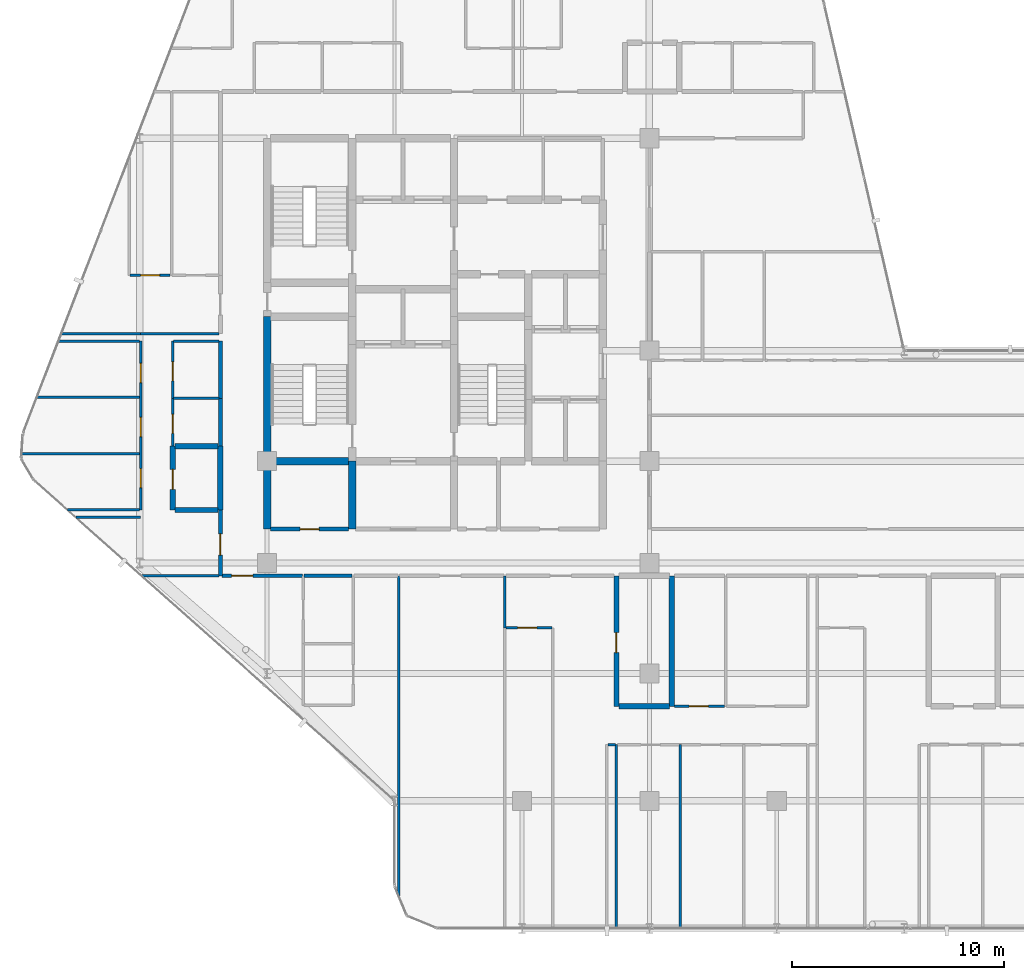
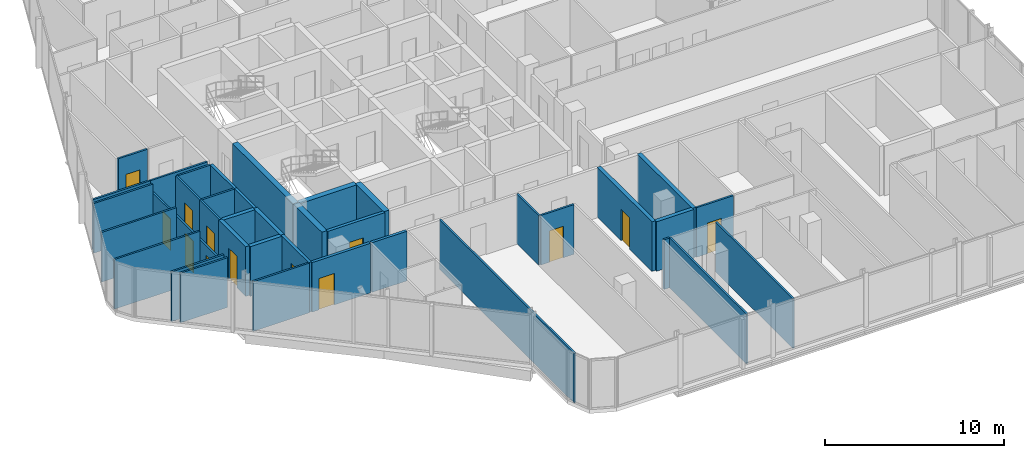
# One storey, part 23 of 29: 38 walls, 13 doors, 13 openings.
"""IFC4 building model written with IfcOpenShell, lengths in metres."""

from ifc_helpers import new_model, si_unit, direction, frame, frame_2d, origin, place, context, subcontext, project, spatial, rectangle, extrude, material, layer, layer_set, type_object, element, fill, save


model = new_model("IFC4")

# Units and contexts
model_context = context("Model", 3, precision=1e-05, world=origin(), true_north=direction((0.0, 1.0)))
body_context = subcontext(model_context, "Body", "Model", "MODEL_VIEW")
ifc_project = project(units=[si_unit("LENGTHUNIT", "METRE"), si_unit("AREAUNIT", "SQUARE_METRE"), si_unit("VOLUMEUNIT", "CUBIC_METRE"), si_unit("PLANEANGLEUNIT", "RADIAN"), si_unit("MASSUNIT", "GRAM", prefix="KILO")], contexts=[model_context])

# Site, building, storey
site_placement = place(None, origin())
site = spatial("IfcSite", under=ifc_project, at=site_placement, CompositionType="ELEMENT")
building_placement = place(site_placement, origin())
building = spatial("IfcBuilding", under=site, at=building_placement, Name="Keshet Zoharim Tower", CompositionType="ELEMENT")
storey_placement = place(building_placement, frame((0.0, 0.0, 188.39990234375)))
storey = spatial("IfcBuildingStorey", under=building, at=storey_placement, Name="L46", CompositionType="ELEMENT", Elevation=188.39990234375)

# Walls
ifc_material_1 = material(Name="Concrete C60/75", Category="concrete")
ifc_layer_1 = layer(ifc_material_1, 0.35009765625)
ifc_layer_set_1 = layer_set([ifc_layer_1], Name="Concrete C60/75")
wall_type_1 = type_object("IfcWallType", Name="WL-CORE-350", PredefinedType="SHEAR", material=ifc_layer_set_1)
wall_1_placement = place(storey_placement, frame((15.0, 19.5, 0.0), z_axis=(0.0, 0.0, 1.0), x_axis=(0.0, 1.0, 0.0)))
element("IfcWall", 1, at=wall_1_placement, inside=storey, type_object=wall_type_1, Name="L46 Core Shear Wall 016", PredefinedType="SHEAR", context=body_context, shape_type="SweptSolid", body=[
    extrude(rectangle(XDim=3.199951171875, YDim=0.35009765625, at=frame_2d((1.60009765625, 0.0))), origin(), (0.0, 0.0, 1.0), 3.39013671875),
])
wall_2_placement = place(storey_placement, frame((15.0, 22.699951171875, 0.0), z_axis=(0.0, 0.0, 1.0), x_axis=(0.0, 1.0, 0.0)))
element("IfcWall", 2, at=wall_2_placement, inside=storey, type_object=wall_type_1, Name="L46 Core Shear Wall 017", PredefinedType="SHEAR", context=body_context, shape_type="SweptSolid", body=[
    extrude(rectangle(XDim=6.800048828125, YDim=0.35009765625, at=frame_2d((3.39990234375, 0.0))), origin(), (0.0, 0.0, 1.0), 3.39013671875),
])
wall_3_placement = place(storey_placement, frame((19.0, 19.5, 0.0), z_axis=(0.0, 0.0, 1.0), x_axis=(0.0, 1.0, 0.0)))
element("IfcWall", 3, at=wall_3_placement, inside=storey, type_object=wall_type_1, Name="L46 Core Shear Wall 024", PredefinedType="SHEAR", context=body_context, shape_type="SweptSolid", body=[
    extrude(rectangle(XDim=3.199951171875, YDim=0.35009765625, at=frame_2d((1.60009765625, 0.0))), origin(), (0.0, 0.0, 1.0), 3.39013671875),
])
wall_4_placement = place(storey_placement, frame((15.159912109375, 22.699951171875, 0.0), z_axis=(0.0, 0.0, 1.0), x_axis=(1.0, 0.0, 0.0)))
element("IfcWall", 4, at=wall_4_placement, inside=storey, type_object=wall_type_1, Name="L46 Core Shear Wall 141", PredefinedType="SHEAR", context=body_context, shape_type="SweptSolid", body=[
    extrude(rectangle(XDim=3.68017578125, YDim=0.35009765625, at=frame_2d((1.840087890625, 0.0))), origin(), (0.0, 0.0, 1.0), 3.39013671875),
])

# Wall, opening, door
ifc_material_2 = material(Name="Gypsum Plasterboard", Category="gypsum")
ifc_layer_2 = layer(ifc_material_2, 0.179931640625)
ifc_layer_set_2 = layer_set([ifc_layer_2], Name="Gypsum Plasterboard")
wall_type_2 = type_object("IfcWallType", Name="WL-CORR-180", PredefinedType="STANDARD", material=ifc_layer_set_2)
wall_5_placement = place(storey_placement, frame((12.800048828125, 17.300048828125, 0.0), z_axis=(0.0, 0.0, 1.0), x_axis=(0.0, 1.0, 0.0)))
wall_5 = element("IfcWall", 5, at=wall_5_placement, inside=storey, type_object=wall_type_2, Name="L46 Interior Wall 007", PredefinedType="STANDARD", context=body_context, shape_type="SweptSolid", body=[
    extrude(rectangle(XDim=3.099853515625, YDim=0.179931640625, at=frame_2d((1.5498046875, 0.0))), origin(), (0.0, 0.0, 1.0), 3.39013671875),
])
opening_1_placement = place(wall_5_placement, frame((0.97802734375, 0.0, 0.0)))
opening_1 = element("IfcOpeningElement", 6, at=opening_1_placement, cuts=wall_5, Name="Opening D-F310", PredefinedType="OPENING", context=body_context, shape_type="SweptSolid", body=[
    extrude(rectangle(XDim=1.0, YDim=2.14990234375, at=frame_2d((0.5, 1.074951171875))), frame((0.0, 0.10009765625, 0.0), z_axis=(0.0, -1.0, 0.0), x_axis=(1.0, 0.0, 0.0)), (0.0, 0.0, 1.0), 0.199951171875),
])
ifc_material_3 = material(Name="Hardwood Timber", Category="wood")
door_type_1 = type_object("IfcDoorType", Name="DR-FD30-100", OperationType="NOTDEFINED", PredefinedType="DOOR", material=ifc_material_3)
door_1_placement = place(opening_1_placement, origin())
door_1 = element("IfcDoor", 7, at=door_1_placement, inside=storey, type_object=door_type_1, Name="Apartment 4606 Entrance Door", OperationType="SINGLE_SWING_LEFT", OverallHeight=2.14990234375, OverallWidth=1.0, PredefinedType="DOOR", context=body_context, shape_type="SweptSolid", body=[
    extrude(rectangle(XDim=1.0, YDim=2.14990234375, at=frame_2d((0.5, 1.074951171875))), frame((0.0, 0.02490234375, 0.0), z_axis=(0.0, -1.0, 0.0), x_axis=(1.0, 0.0, 0.0)), (0.0, 0.0, 1.0), 0.050048828125),
])
fill(opening_1, door_1)

# Walls
wall_6_placement = place(storey_placement, frame((12.800048828125, 23.4208984375, 0.0), z_axis=(0.0, 0.0, 1.0), x_axis=(0.0, 1.0, 0.0)))
element("IfcWall", 8, at=wall_6_placement, inside=storey, type_object=wall_type_2, Name="L46 Interior Wall 009", PredefinedType="STANDARD", context=body_context, shape_type="SweptSolid", body=[
    extrude(rectangle(XDim=2.22607421875, YDim=0.179931640625, at=frame_2d((1.113037109375, 0.0))), origin(), (0.0, 0.0, 1.0), 3.39013671875),
])
wall_7_placement = place(storey_placement, frame((12.800048828125, 25.64697265625, 0.0), z_axis=(0.0, 0.0, 1.0), x_axis=(0.0, 1.0, 0.0)))
element("IfcWall", 9, at=wall_7_placement, inside=storey, type_object=wall_type_2, Name="L46 Interior Wall 010", PredefinedType="STANDARD", context=body_context, shape_type="SweptSolid", body=[
    extrude(rectangle(XDim=2.703125, YDim=0.179931640625, at=frame_2d((1.3515625, 0.0))), origin(), (0.0, 0.0, 1.0), 3.39013671875),
])

# Wall, opening, door
wall_8_placement = place(storey_placement, frame((12.875, 17.300048828125, 0.0), z_axis=(0.0, 0.0, 1.0), x_axis=(1.0, 0.0, 0.0)))
wall_8 = element("IfcWall", 10, at=wall_8_placement, inside=storey, type_object=wall_type_2, Name="L46 Interior Wall 119", PredefinedType="STANDARD", context=body_context, shape_type="SweptSolid", body=[
    extrude(rectangle(XDim=3.780029296875, YDim=0.179931640625, at=frame_2d((1.89013671875, 0.0))), origin(), (0.0, 0.0, 1.0), 3.39013671875),
])
opening_2_placement = place(wall_8_placement, frame((0.4580078125, 0.0, 0.0)))
opening_2 = element("IfcOpeningElement", 11, at=opening_2_placement, cuts=wall_8, Name="Opening D-F310", PredefinedType="OPENING", context=body_context, shape_type="SweptSolid", body=[
    extrude(rectangle(XDim=1.0, YDim=2.14990234375, at=frame_2d((0.5, 1.074951171875))), frame((0.0, 0.10009765625, 0.0), z_axis=(0.0, -1.0, 0.0), x_axis=(1.0, 0.0, 0.0)), (0.0, 0.0, 1.0), 0.199951171875),
])
door_2_placement = place(opening_2_placement, origin())
door_2 = element("IfcDoor", 12, at=door_2_placement, inside=storey, type_object=door_type_1, Name="Apartment 4601 Entrance Door", OperationType="SINGLE_SWING_RIGHT", OverallHeight=2.14990234375, OverallWidth=1.0, PredefinedType="DOOR", context=body_context, shape_type="SweptSolid", body=[
    extrude(rectangle(XDim=1.0, YDim=2.14990234375, at=frame_2d((0.5, 1.074951171875))), frame((0.0, 0.02490234375, 0.0), z_axis=(0.0, -1.0, 0.0), x_axis=(1.0, 0.0, 0.0)), (0.0, 0.0, 1.0), 0.050048828125),
])
fill(opening_2, door_2)

# Wall
wall_9_placement = place(storey_placement, frame((16.7451171875, 17.300048828125, 0.0), z_axis=(0.0, 0.0, 1.0), x_axis=(1.0, 0.0, 0.0)))
element("IfcWall", 13, at=wall_9_placement, inside=storey, type_object=wall_type_2, Name="L46 Interior Wall 120", PredefinedType="STANDARD", context=body_context, shape_type="SweptSolid", body=[
    extrude(rectangle(XDim=2.259765625, YDim=0.179931640625, at=frame_2d((1.1298828125, 0.0))), origin(), (0.0, 0.0, 1.0), 3.39013671875),
])

# Wall, opening, door
ifc_material_4 = material(Name="Concrete C50/60", Category="concrete")
ifc_layer_3 = layer(ifc_material_4, 0.199951171875)
ifc_layer_set_3 = layer_set([ifc_layer_3], Name="Concrete C50/60")
wall_type_3 = type_object("IfcWallType", Name="WL-FIRE-200", PredefinedType="STANDARD", material=ifc_layer_set_3)
wall_10_placement = place(storey_placement, frame((15.159912109375, 19.5, 0.0), z_axis=(0.0, 0.0, 1.0), x_axis=(1.0, 0.0, 0.0)))
wall_10 = element("IfcWall", 14, at=wall_10_placement, inside=storey, type_object=wall_type_3, Name="L46 Interior Wall 133", PredefinedType="STANDARD", context=body_context, shape_type="SweptSolid", body=[
    extrude(rectangle(XDim=3.68017578125, YDim=0.199951171875, at=frame_2d((1.840087890625, 0.0))), origin(), (0.0, 0.0, 1.0), 3.39013671875),
])
opening_3_placement = place(wall_10_placement, frame((1.389892578125, 0.0, 0.0)))
opening_3 = element("IfcOpeningElement", 15, at=opening_3_placement, cuts=wall_10, Name="Opening D-F690", PredefinedType="OPENING", context=body_context, shape_type="SweptSolid", body=[
    extrude(rectangle(XDim=0.89990234375, YDim=2.14990234375, at=frame_2d((0.449951171875, 1.074951171875))), frame((0.0, 0.10986328125, 0.0), z_axis=(0.0, -1.0, 0.0), x_axis=(1.0, 0.0, 0.0)), (0.0, 0.0, 1.0), 0.219970703125),
])
door_type_2 = type_object("IfcDoorType", Name="DR-FD60-090", OperationType="NOTDEFINED", PredefinedType="DOOR", material=ifc_material_3)
door_3_placement = place(opening_3_placement, origin())
door_3 = element("IfcDoor", 16, at=door_3_placement, inside=storey, type_object=door_type_2, Name="L46 Refuse Room Door", OperationType="SINGLE_SWING_RIGHT", OverallHeight=2.14990234375, OverallWidth=0.89990234375, PredefinedType="DOOR", context=body_context, shape_type="SweptSolid", body=[
    extrude(rectangle(XDim=0.89990234375, YDim=2.14990234375, at=frame_2d((0.449951171875, 1.074951171875))), frame((0.0, 0.02490234375, 0.0), z_axis=(0.0, -1.0, 0.0), x_axis=(1.0, 0.0, 0.0)), (0.0, 0.0, 1.0), 0.050048828125),
])
fill(opening_3, door_3)

ifc_layer_4 = layer(ifc_material_4, 0.25)
ifc_layer_set_4 = layer_set([ifc_layer_4], Name="Concrete C50/60")
wall_type_4 = type_object("IfcWallType", Name="WL-MAMAD-250", PredefinedType="STANDARD", material=ifc_layer_set_4)
wall_11_placement = place(storey_placement, frame((10.550048828125, 20.39990234375, 0.0), z_axis=(0.0, 0.0, 1.0), x_axis=(0.0, 1.0, 0.0)))
wall_11 = element("IfcWall", 17, at=wall_11_placement, inside=storey, type_object=wall_type_4, Name="L46 Interior Wall 004", PredefinedType="STANDARD", context=body_context, shape_type="SweptSolid", body=[
    extrude(rectangle(XDim=3.02099609375, YDim=0.25, at=frame_2d((1.510498046875, 0.0))), origin(), (0.0, 0.0, 1.0), 3.39013671875),
])
opening_4_placement = place(wall_11_placement, frame((0.964111328125, 0.0, 0.0)))
opening_4 = element("IfcOpeningElement", 18, at=opening_4_placement, cuts=wall_11, Name="Opening D-F695", PredefinedType="OPENING", context=body_context, shape_type="SweptSolid", body=[
    extrude(rectangle(XDim=0.949951171875, YDim=2.14990234375, at=frame_2d((0.47509765625, 1.074951171875))), frame((0.0, 0.135009765625, 0.0), z_axis=(0.0, -1.0, 0.0), x_axis=(1.0, 0.0, 0.0)), (0.0, 0.0, 1.0), 0.27001953125),
])
door_type_3 = type_object("IfcDoorType", Name="DR-FD60-095", OperationType="NOTDEFINED", PredefinedType="DOOR", material=ifc_material_3)
door_4_placement = place(opening_4_placement, origin())
door_4 = element("IfcDoor", 19, at=door_4_placement, inside=storey, type_object=door_type_3, Name="Apartment 4606 Study and Shelter Room Door", OperationType="SINGLE_SWING_RIGHT", OverallHeight=2.14990234375, OverallWidth=0.949951171875, PredefinedType="DOOR", context=body_context, shape_type="SweptSolid", body=[
    extrude(rectangle(XDim=0.949951171875, YDim=2.14990234375, at=frame_2d((0.47509765625, 1.074951171875))), frame((0.0, 0.02490234375, 0.0), z_axis=(0.0, -1.0, 0.0), x_axis=(1.0, 0.0, 0.0)), (0.0, 0.0, 1.0), 0.050048828125),
])
fill(opening_4, door_4)

# Wall
wall_12_placement = place(storey_placement, frame((12.800048828125, 20.39990234375, 0.0), z_axis=(0.0, 0.0, 1.0), x_axis=(0.0, 1.0, 0.0)))
element("IfcWall", 20, at=wall_12_placement, inside=storey, type_object=wall_type_4, Name="L46 Interior Wall 008", PredefinedType="STANDARD", context=body_context, shape_type="SweptSolid", body=[
    extrude(rectangle(XDim=3.02099609375, YDim=0.25, at=frame_2d((1.510498046875, 0.0))), origin(), (0.0, 0.0, 1.0), 3.39013671875),
])

# Wall, opening, door
wall_13_placement = place(storey_placement, frame((31.449951171875, 11.14990234375, 0.0), z_axis=(0.0, 0.0, 1.0), x_axis=(0.0, 1.0, 0.0)))
wall_13 = element("IfcWall", 21, at=wall_13_placement, inside=storey, type_object=wall_type_4, Name="L46 Interior Wall 068", PredefinedType="STANDARD", context=body_context, shape_type="SweptSolid", body=[
    extrude(rectangle(XDim=6.150146484375, YDim=0.25, at=frame_2d((3.0751953125, 0.0))), origin(), (0.0, 0.0, 1.0), 3.39013671875),
])
opening_5_placement = place(wall_13_placement, frame((2.529052734375, 0.0, 0.0)))
opening_5 = element("IfcOpeningElement", 22, at=opening_5_placement, cuts=wall_13, Name="Opening D-F695", PredefinedType="OPENING", context=body_context, shape_type="SweptSolid", body=[
    extrude(rectangle(XDim=0.949951171875, YDim=2.14990234375, at=frame_2d((0.47509765625, 1.074951171875))), frame((0.0, 0.135009765625, 0.0), z_axis=(0.0, -1.0, 0.0), x_axis=(1.0, 0.0, 0.0)), (0.0, 0.0, 1.0), 0.27001953125),
])
door_5_placement = place(opening_5_placement, origin())
door_5 = element("IfcDoor", 23, at=door_5_placement, inside=storey, type_object=door_type_3, Name="Apartment 4602 Study and Shelter Room Door", OperationType="SINGLE_SWING_RIGHT", OverallHeight=2.14990234375, OverallWidth=0.949951171875, PredefinedType="DOOR", context=body_context, shape_type="SweptSolid", body=[
    extrude(rectangle(XDim=0.949951171875, YDim=2.14990234375, at=frame_2d((0.47509765625, 1.074951171875))), frame((0.0, 0.02490234375, 0.0), z_axis=(0.0, -1.0, 0.0), x_axis=(1.0, 0.0, 0.0)), (0.0, 0.0, 1.0), 0.050048828125),
])
fill(opening_5, door_5)

# Walls
wall_14_placement = place(storey_placement, frame((34.050048828125, 11.14990234375, 0.0), z_axis=(0.0, 0.0, 1.0), x_axis=(0.0, 1.0, 0.0)))
element("IfcWall", 24, at=wall_14_placement, inside=storey, type_object=wall_type_4, Name="L46 Interior Wall 075", PredefinedType="STANDARD", context=body_context, shape_type="SweptSolid", body=[
    extrude(rectangle(XDim=6.150146484375, YDim=0.25, at=frame_2d((3.0751953125, 0.0))), origin(), (0.0, 0.0, 1.0), 3.39013671875),
])
wall_15_placement = place(storey_placement, frame((31.56005859375, 11.14990234375, 0.0), z_axis=(0.0, 0.0, 1.0), x_axis=(1.0, 0.0, 0.0)))
element("IfcWall", 25, at=wall_15_placement, inside=storey, type_object=wall_type_4, Name="L46 Interior Wall 108", PredefinedType="STANDARD", context=body_context, shape_type="SweptSolid", body=[
    extrude(rectangle(XDim=2.392822265625, YDim=0.25, at=frame_2d((1.1962890625, 0.0))), origin(), (0.0, 0.0, 1.0), 3.39013671875),
])
for number, where, z_axis, x_axis, name in (
    (26, (10.659912109375, 20.39990234375, 0.0), (0.0, 0.0, 1.0), (1.0, 0.0, 0.0), "L46 Interior Wall 140"),
    (27, (10.659912109375, 23.39990234375, 0.0), (0.0, 0.0, 1.0), (1.0, 0.0, 0.0), "L46 Interior Wall 147"),
):
    element("IfcWall", number, at=place(storey_placement, frame(where, z_axis=z_axis, x_axis=x_axis)), inside=storey, type_object=wall_type_4, Name=name, PredefinedType="STANDARD", context=body_context, shape_type="SweptSolid", body=[
        extrude(rectangle(XDim=2.030029296875, YDim=0.25, at=frame_2d((1.01513671875, 0.0))), origin(), (0.0, 0.0, 1.0), 3.39013671875),
    ])

# Wall, openings, doors
ifc_layer_5 = layer(ifc_material_2, 0.1201171875)
ifc_layer_set_5 = layer_set([ifc_layer_5], Name="Gypsum Plasterboard")
wall_type_5 = type_object("IfcWallType", Name="WL-PART-120", PredefinedType="PARTITIONING", material=ifc_layer_set_5)
wall_16_placement = place(storey_placement, frame((9.050048828125, 20.39990234375, 0.0), z_axis=(0.0, 0.0, 1.0), x_axis=(0.0, 1.0, 0.0)))
wall_16 = element("IfcWall", 28, at=wall_16_placement, inside=storey, type_object=wall_type_5, Name="L46 Interior Wall 002", PredefinedType="PARTITIONING", context=body_context, shape_type="SweptSolid", body=[
    extrude(rectangle(XDim=7.9501953125, YDim=0.1201171875, at=frame_2d((3.97509765625, 0.0))), origin(), (0.0, 0.0, 1.0), 2.7900390625),
])
opening_6_placement = place(wall_16_placement, frame((1.050048828125, 0.0, 0.0)))
opening_6 = element("IfcOpeningElement", 29, at=opening_6_placement, cuts=wall_16, Name="Opening D-IN90", PredefinedType="OPENING", context=body_context, shape_type="SweptSolid", body=[
    extrude(rectangle(XDim=0.89990234375, YDim=2.14990234375, at=frame_2d((0.449951171875, 1.074951171875))), frame((0.0, 0.070068359375, 0.0), z_axis=(0.0, -1.0, 0.0), x_axis=(1.0, 0.0, 0.0)), (0.0, 0.0, 1.0), 0.14013671875),
])
opening_7_placement = place(wall_16_placement, frame((3.455078125, 0.0, 0.0)))
opening_7 = element("IfcOpeningElement", 30, at=opening_7_placement, cuts=wall_16, Name="Opening D-IN90", PredefinedType="OPENING", context=body_context, shape_type="SweptSolid", body=[
    extrude(rectangle(XDim=0.89990234375, YDim=2.14990234375, at=frame_2d((0.449951171875, 1.074951171875))), frame((0.0, 0.070068359375, 0.0), z_axis=(0.0, -1.0, 0.0), x_axis=(1.0, 0.0, 0.0)), (0.0, 0.0, 1.0), 0.14013671875),
])
opening_8_placement = place(wall_16_placement, frame((6.0, 0.0, 0.0)))
opening_8 = element("IfcOpeningElement", 31, at=opening_8_placement, cuts=wall_16, Name="Opening D-IN90", PredefinedType="OPENING", context=body_context, shape_type="SweptSolid", body=[
    extrude(rectangle(XDim=0.89990234375, YDim=2.14990234375, at=frame_2d((0.449951171875, 1.074951171875))), frame((0.0, 0.070068359375, 0.0), z_axis=(0.0, -1.0, 0.0), x_axis=(1.0, 0.0, 0.0)), (0.0, 0.0, 1.0), 0.14013671875),
])
door_type_4 = type_object("IfcDoorType", Name="DR-INT-090", OperationType="NOTDEFINED", PredefinedType="DOOR", material=ifc_material_3)
door_6_placement = place(opening_6_placement, origin())
door_6 = element("IfcDoor", 32, at=door_6_placement, inside=storey, type_object=door_type_4, Name="Apartment 4606 Bedroom 1 Door", OperationType="SINGLE_SWING_LEFT", OverallHeight=2.14990234375, OverallWidth=0.89990234375, PredefinedType="DOOR", context=body_context, shape_type="SweptSolid", body=[
    extrude(rectangle(XDim=0.89990234375, YDim=2.14990234375, at=frame_2d((0.449951171875, 1.074951171875))), frame((0.0, 0.02490234375, 0.0), z_axis=(0.0, -1.0, 0.0), x_axis=(1.0, 0.0, 0.0)), (0.0, 0.0, 1.0), 0.050048828125),
])
fill(opening_6, door_6)
door_7_placement = place(opening_7_placement, origin())
door_7 = element("IfcDoor", 33, at=door_7_placement, inside=storey, type_object=door_type_4, Name="Apartment 4606 Bedroom 2 Door", OperationType="SINGLE_SWING_RIGHT", OverallHeight=2.14990234375, OverallWidth=0.89990234375, PredefinedType="DOOR", context=body_context, shape_type="SweptSolid", body=[
    extrude(rectangle(XDim=0.89990234375, YDim=2.14990234375, at=frame_2d((0.449951171875, 1.074951171875))), frame((0.0, 0.02490234375, 0.0), z_axis=(0.0, -1.0, 0.0), x_axis=(1.0, 0.0, 0.0)), (0.0, 0.0, 1.0), 0.050048828125),
])
fill(opening_7, door_7)
door_8_placement = place(opening_8_placement, origin())
door_8 = element("IfcDoor", 34, at=door_8_placement, inside=storey, type_object=door_type_4, Name="Apartment 4606 Bedroom 3 Door", OperationType="SINGLE_SWING_LEFT", OverallHeight=2.14990234375, OverallWidth=0.89990234375, PredefinedType="DOOR", context=body_context, shape_type="SweptSolid", body=[
    extrude(rectangle(XDim=0.89990234375, YDim=2.14990234375, at=frame_2d((0.449951171875, 1.074951171875))), frame((0.0, 0.02490234375, 0.0), z_axis=(0.0, -1.0, 0.0), x_axis=(1.0, 0.0, 0.0)), (0.0, 0.0, 1.0), 0.050048828125),
])
fill(opening_8, door_8)

# Wall, opening, door
wall_17_placement = place(storey_placement, frame((10.550048828125, 25.64697265625, 0.0), z_axis=(0.0, 0.0, 1.0), x_axis=(0.0, 1.0, 0.0)))
wall_17 = element("IfcWall", 35, at=wall_17_placement, inside=storey, type_object=wall_type_5, Name="L46 Interior Wall 006", PredefinedType="PARTITIONING", context=body_context, shape_type="SweptSolid", body=[
    extrude(rectangle(XDim=2.703125, YDim=0.1201171875, at=frame_2d((1.3515625, 0.0))), origin(), (0.0, 0.0, 1.0), 3.39013671875),
])
opening_9_placement = place(wall_17_placement, frame((0.830078125, 0.0, 0.0)))
opening_9 = element("IfcOpeningElement", 36, at=opening_9_placement, cuts=wall_17, Name="Opening D-IN90", PredefinedType="OPENING", context=body_context, shape_type="SweptSolid", body=[
    extrude(rectangle(XDim=0.89990234375, YDim=2.14990234375, at=frame_2d((0.449951171875, 1.074951171875))), frame((0.0, 0.070068359375, 0.0), z_axis=(0.0, -1.0, 0.0), x_axis=(1.0, 0.0, 0.0)), (0.0, 0.0, 1.0), 0.14013671875),
])
door_9_placement = place(opening_9_placement, origin())
door_9 = element("IfcDoor", 37, at=door_9_placement, inside=storey, type_object=door_type_4, Name="Apartment 4606 Kitchen Door", OperationType="SINGLE_SWING_RIGHT", OverallHeight=2.14990234375, OverallWidth=0.89990234375, PredefinedType="DOOR", context=body_context, shape_type="SweptSolid", body=[
    extrude(rectangle(XDim=0.89990234375, YDim=2.14990234375, at=frame_2d((0.449951171875, 1.074951171875))), frame((0.0, 0.02490234375, 0.0), z_axis=(0.0, -1.0, 0.0), x_axis=(1.0, 0.0, 0.0)), (0.0, 0.0, 1.0), 0.050048828125),
])
fill(opening_9, door_9)

# Walls
wall_18_placement = place(storey_placement, frame((21.199951171875, 2.22705078125, 0.0), z_axis=(0.0, 0.0, 1.0), x_axis=(0.0, 1.0, 0.0)))
element("IfcWall", 38, at=wall_18_placement, inside=storey, type_object=wall_type_5, Name="L46 Interior Wall 031", PredefinedType="PARTITIONING", context=body_context, shape_type="SweptSolid", body=[
    extrude(rectangle(XDim=15.072998046875, YDim=0.1201171875, at=frame_2d((7.53662109375, 0.0))), origin(), (0.0, 0.0, 1.0), 3.39013671875),
])
wall_19_placement = place(storey_placement, frame((26.199951171875, 14.85009765625, 0.0), z_axis=(0.0, 0.0, 1.0), x_axis=(0.0, 1.0, 0.0)))
element("IfcWall", 39, at=wall_19_placement, inside=storey, type_object=wall_type_5, Name="L46 Interior Wall 047", PredefinedType="PARTITIONING", context=body_context, shape_type="SweptSolid", body=[
    extrude(rectangle(XDim=2.449951171875, YDim=0.1201171875, at=frame_2d((1.22509765625, 0.0))), origin(), (0.0, 0.0, 1.0), 3.39013671875),
])
for number, where, z_axis, x_axis, name in (
    (40, (31.449951171875, 0.7099609375, 0.0), (0.0, 0.0, 1.0), (0.0, 1.0, 0.0), "L46 Interior Wall 067"),
    (41, (34.449951171875, 0.7099609375, 0.0), (0.0, 0.0, 1.0), (0.0, 1.0, 0.0), "L46 Interior Wall 077"),
):
    element("IfcWall", number, at=place(storey_placement, frame(where, z_axis=z_axis, x_axis=x_axis)), inside=storey, type_object=wall_type_5, Name=name, PredefinedType="PARTITIONING", context=body_context, shape_type="SweptSolid", body=[
        extrude(rectangle(XDim=8.64013671875, YDim=0.1201171875, at=frame_2d((4.320068359375, 0.0))), origin(), (0.0, 0.0, 1.0), 3.39013671875),
    ])
wall_20_placement = place(storey_placement, frame((31.044921875, 9.35009765625, 0.0), z_axis=(0.0, 0.0, 1.0), x_axis=(1.0, 0.0, 0.0)))
element("IfcWall", 42, at=wall_20_placement, inside=storey, type_object=wall_type_5, Name="L46 Interior Wall 103", PredefinedType="PARTITIONING", context=body_context, shape_type="SweptSolid", body=[
    extrude(rectangle(XDim=0.360107421875, YDim=0.1201171875, at=frame_2d((0.18017578125, 0.0))), origin(), (0.0, 0.0, 1.0), 3.39013671875),
])

# Wall, opening, door
wall_21_placement = place(storey_placement, frame((26.2451171875, 14.85009765625, 0.0), z_axis=(0.0, 0.0, 1.0), x_axis=(1.0, 0.0, 0.0)))
wall_21 = element("IfcWall", 43, at=wall_21_placement, inside=storey, type_object=wall_type_5, Name="L46 Interior Wall 116", PredefinedType="PARTITIONING", context=body_context, shape_type="SweptSolid", body=[
    extrude(rectangle(XDim=2.159912109375, YDim=0.1201171875, at=frame_2d((1.080078125, 0.0))), origin(), (0.0, 0.0, 1.0), 3.39013671875),
])
opening_10_placement = place(wall_21_placement, frame((0.552978515625, 0.0, 0.0)))
opening_10 = element("IfcOpeningElement", 44, at=opening_10_placement, cuts=wall_21, Name="Opening D-IN90", PredefinedType="OPENING", context=body_context, shape_type="SweptSolid", body=[
    extrude(rectangle(XDim=0.89990234375, YDim=2.14990234375, at=frame_2d((0.449951171875, 1.074951171875))), frame((0.0, 0.070068359375, 0.0), z_axis=(0.0, -1.0, 0.0), x_axis=(1.0, 0.0, 0.0)), (0.0, 0.0, 1.0), 0.14013671875),
])
door_10_placement = place(opening_10_placement, origin())
door_10 = element("IfcDoor", 45, at=door_10_placement, inside=storey, type_object=door_type_4, Name="Apartment 4602 Formal Dining Room Door", OperationType="SINGLE_SWING_RIGHT", OverallHeight=2.14990234375, OverallWidth=0.89990234375, PredefinedType="DOOR", context=body_context, shape_type="SweptSolid", body=[
    extrude(rectangle(XDim=0.89990234375, YDim=2.14990234375, at=frame_2d((0.449951171875, 1.074951171875))), frame((0.0, 0.02490234375, 0.0), z_axis=(0.0, -1.0, 0.0), x_axis=(1.0, 0.0, 0.0)), (0.0, 0.0, 1.0), 0.050048828125),
])
fill(opening_10, door_10)

# Walls
wall_22_placement = place(storey_placement, frame((9.0849609375, 17.300048828125, 0.0), z_axis=(0.0, 0.0, 1.0), x_axis=(1.0, 0.0, 0.0)))
element("IfcWall", 46, at=wall_22_placement, inside=storey, type_object=wall_type_5, Name="L46 Interior Wall 118", PredefinedType="PARTITIONING", context=body_context, shape_type="SweptSolid", body=[
    extrude(rectangle(XDim=3.64013671875, YDim=0.1201171875, at=frame_2d((1.820068359375, 0.0))), origin(), (0.0, 0.0, 1.0), 3.39013671875),
])
wall_23_placement = place(storey_placement, frame((5.990966796875, 20.050048828125, 0.0), z_axis=(0.0, 0.0, 1.0), x_axis=(1.0, 0.0, 0.0)))
element("IfcWall", 47, at=wall_23_placement, inside=storey, type_object=wall_type_5, Name="L46 Interior Wall 138", PredefinedType="PARTITIONING", context=body_context, shape_type="SweptSolid", body=[
    extrude(rectangle(XDim=3.0390625, YDim=0.1201171875, at=frame_2d((1.51953125, 0.0))), origin(), (0.0, 0.0, 1.0), 3.39013671875),
])
wall_24_placement = place(storey_placement, frame((5.596923828125, 20.39990234375, 0.0), z_axis=(0.0, 0.0, 1.0), x_axis=(1.0, 0.0, 0.0)))
element("IfcWall", 48, at=wall_24_placement, inside=storey, type_object=wall_type_5, Name="L46 Interior Wall 139", PredefinedType="PARTITIONING", context=body_context, shape_type="SweptSolid", body=[
    extrude(rectangle(XDim=3.38818359375, YDim=0.1201171875, at=frame_2d((1.694091796875, 0.0))), origin(), (0.0, 0.0, 1.0), 3.39013671875),
])
wall_25_placement = place(storey_placement, frame((3.446044921875, 23.050048828125, 0.0), z_axis=(0.0, 0.0, 1.0), x_axis=(1.0, 0.0, 0.0)))
element("IfcWall", 49, at=wall_25_placement, inside=storey, type_object=wall_type_5, Name="L46 Interior Wall 146", PredefinedType="PARTITIONING", context=body_context, shape_type="SweptSolid", body=[
    extrude(rectangle(XDim=5.5390625, YDim=0.1201171875, at=frame_2d((2.76953125, 0.0))), origin(), (0.0, 0.0, 1.0), 3.39013671875),
])
wall_26_placement = place(storey_placement, frame((4.1640625, 25.699951171875, 0.0), z_axis=(0.0, 0.0, 1.0), x_axis=(1.0, 0.0, 0.0)))
element("IfcWall", 50, at=wall_26_placement, inside=storey, type_object=wall_type_5, Name="L46 Interior Wall 151", PredefinedType="PARTITIONING", context=body_context, shape_type="SweptSolid", body=[
    extrude(rectangle(XDim=4.821044921875, YDim=0.1201171875, at=frame_2d((2.41064453125, 0.0))), origin(), (0.0, 0.0, 1.0), 3.39013671875),
])
wall_27_placement = place(storey_placement, frame((5.18310546875, 28.35009765625, 0.0), z_axis=(0.0, 0.0, 1.0), x_axis=(1.0, 0.0, 0.0)))
element("IfcWall", 51, at=wall_27_placement, inside=storey, type_object=wall_type_5, Name="L46 Interior Wall 156", PredefinedType="PARTITIONING", context=body_context, shape_type="SweptSolid", body=[
    extrude(rectangle(XDim=3.802001953125, YDim=0.1201171875, at=frame_2d((1.90087890625, 0.0))), origin(), (0.0, 0.0, 1.0), 3.39013671875),
])
wall_28_placement = place(storey_placement, frame((10.594970703125, 28.35009765625, 0.0), z_axis=(0.0, 0.0, 1.0), x_axis=(1.0, 0.0, 0.0)))
element("IfcWall", 52, at=wall_28_placement, inside=storey, type_object=wall_type_5, Name="L46 Interior Wall 157", PredefinedType="PARTITIONING", context=body_context, shape_type="SweptSolid", body=[
    extrude(rectangle(XDim=2.130126953125, YDim=0.1201171875, at=frame_2d((1.06494140625, 0.0))), origin(), (0.0, 0.0, 1.0), 3.39013671875),
])
wall_29_placement = place(storey_placement, frame((5.31689453125, 28.699951171875, 0.0), z_axis=(0.0, 0.0, 1.0), x_axis=(1.0, 0.0, 0.0)))
element("IfcWall", 53, at=wall_29_placement, inside=storey, type_object=wall_type_5, Name="L46 Interior Wall 158", PredefinedType="PARTITIONING", context=body_context, shape_type="SweptSolid", body=[
    extrude(rectangle(XDim=3.713134765625, YDim=0.1201171875, at=frame_2d((1.8564453125, 0.0))), origin(), (0.0, 0.0, 1.0), 3.39013671875),
])
wall_30_placement = place(storey_placement, frame((9.030029296875, 28.699951171875, 0.0), z_axis=(0.0, 0.0, 1.0), x_axis=(1.0, 0.0, 0.0)))
element("IfcWall", 54, at=wall_30_placement, inside=storey, type_object=wall_type_5, Name="L46 Interior Wall 159", PredefinedType="PARTITIONING", context=body_context, shape_type="SweptSolid", body=[
    extrude(rectangle(XDim=3.695068359375, YDim=0.1201171875, at=frame_2d((1.84765625, 0.0))), origin(), (0.0, 0.0, 1.0), 3.39013671875),
])

# Wall, opening, door
wall_31_placement = place(storey_placement, frame((8.544921875, 31.449951171875, 0.0), z_axis=(0.0, 0.0, 1.0), x_axis=(1.0, 0.0, 0.0)))
wall_31 = element("IfcWall", 55, at=wall_31_placement, inside=storey, type_object=wall_type_5, Name="L46 Interior Wall 165", PredefinedType="PARTITIONING", context=body_context, shape_type="SweptSolid", body=[
    extrude(rectangle(XDim=1.88818359375, YDim=0.1201171875, at=frame_2d((0.944091796875, 0.0))), origin(), (0.0, 0.0, 1.0), 3.39013671875),
])
opening_11_placement = place(wall_31_placement, frame((0.493896484375, 0.0, 0.0)))
opening_11 = element("IfcOpeningElement", 56, at=opening_11_placement, cuts=wall_31, Name="Opening D-IN90", PredefinedType="OPENING", context=body_context, shape_type="SweptSolid", body=[
    extrude(rectangle(XDim=0.89990234375, YDim=2.14990234375, at=frame_2d((0.449951171875, 1.074951171875))), frame((0.0, 0.070068359375, 0.0), z_axis=(0.0, -1.0, 0.0), x_axis=(1.0, 0.0, 0.0)), (0.0, 0.0, 1.0), 0.14013671875),
])
door_11_placement = place(opening_11_placement, origin())
door_11 = element("IfcDoor", 57, at=door_11_placement, inside=storey, type_object=door_type_4, Name="Apartment 4607 Kitchen Door", OperationType="SINGLE_SWING_LEFT", OverallHeight=2.14990234375, OverallWidth=0.89990234375, PredefinedType="DOOR", context=body_context, shape_type="SweptSolid", body=[
    extrude(rectangle(XDim=0.89990234375, YDim=2.14990234375, at=frame_2d((0.449951171875, 1.074951171875))), frame((0.0, 0.02490234375, 0.0), z_axis=(0.0, -1.0, 0.0), x_axis=(1.0, 0.0, 0.0)), (0.0, 0.0, 1.0), 0.050048828125),
])
fill(opening_11, door_11)

ifc_layer_6 = layer(ifc_material_2, 0.1201171875)
ifc_layer_set_6 = layer_set([ifc_layer_6], Name="Gypsum Plasterboard")
wall_type_6 = type_object("IfcWallType", Name="WL-WET-120", PredefinedType="PARTITIONING", material=ifc_layer_set_6)
wall_32_placement = place(storey_placement, frame((10.550048828125, 23.4208984375, 0.0), z_axis=(0.0, 0.0, 1.0), x_axis=(0.0, 1.0, 0.0)))
wall_32 = element("IfcWall", 58, at=wall_32_placement, inside=storey, type_object=wall_type_6, Name="L46 Interior Wall 005", PredefinedType="PARTITIONING", context=body_context, shape_type="SweptSolid", body=[
    extrude(rectangle(XDim=2.22607421875, YDim=0.1201171875, at=frame_2d((1.113037109375, 0.0))), origin(), (0.0, 0.0, 1.0), 3.39013671875),
])
opening_12_placement = place(wall_32_placement, frame((0.583984375, 0.0, 0.0)))
opening_12 = element("IfcOpeningElement", 59, at=opening_12_placement, cuts=wall_32, Name="Opening D-WT90", PredefinedType="OPENING", context=body_context, shape_type="SweptSolid", body=[
    extrude(rectangle(XDim=0.89990234375, YDim=2.10009765625, at=frame_2d((0.449951171875, 1.050048828125))), frame((0.0, 0.070068359375, 0.0), z_axis=(0.0, -1.0, 0.0), x_axis=(1.0, 0.0, 0.0)), (0.0, 0.0, 1.0), 0.14013671875),
])
door_type_5 = type_object("IfcDoorType", Name="DR-WET-090", OperationType="NOTDEFINED", PredefinedType="DOOR", material=ifc_material_3)
door_12_placement = place(opening_12_placement, origin())
door_12 = element("IfcDoor", 60, at=door_12_placement, inside=storey, type_object=door_type_5, Name="Apartment 4606 Bathroom Door", OperationType="SINGLE_SWING_LEFT", OverallHeight=2.10009765625, OverallWidth=0.89990234375, PredefinedType="DOOR", context=body_context, shape_type="SweptSolid", body=[
    extrude(rectangle(XDim=0.89990234375, YDim=2.10009765625, at=frame_2d((0.449951171875, 1.050048828125))), frame((0.0, 0.02490234375, 0.0), z_axis=(0.0, -1.0, 0.0), x_axis=(1.0, 0.0, 0.0)), (0.0, 0.0, 1.0), 0.050048828125),
])
fill(opening_12, door_12)

wall_33_placement = place(storey_placement, frame((34.173095703125, 11.14990234375, 0.0), z_axis=(0.0, 0.0, 1.0), x_axis=(1.0, 0.0, 0.0)))
wall_33 = element("IfcWall", 61, at=wall_33_placement, inside=storey, type_object=wall_type_6, Name="L46 Interior Wall 109", PredefinedType="PARTITIONING", context=body_context, shape_type="SweptSolid", body=[
    extrude(rectangle(XDim=2.367919921875, YDim=0.1201171875, at=frame_2d((1.18408203125, 0.0))), origin(), (0.0, 0.0, 1.0), 3.39013671875),
])
opening_13_placement = place(wall_33_placement, frame((0.701904296875, 0.0, 0.0)))
opening_13 = element("IfcOpeningElement", 62, at=opening_13_placement, cuts=wall_33, Name="Opening D-WT90", PredefinedType="OPENING", context=body_context, shape_type="SweptSolid", body=[
    extrude(rectangle(XDim=0.89990234375, YDim=2.10009765625, at=frame_2d((0.449951171875, 1.050048828125))), frame((0.0, 0.070068359375, 0.0), z_axis=(0.0, -1.0, 0.0), x_axis=(1.0, 0.0, 0.0)), (0.0, 0.0, 1.0), 0.14013671875),
])
door_13_placement = place(opening_13_placement, origin())
door_13 = element("IfcDoor", 63, at=door_13_placement, inside=storey, type_object=door_type_5, Name="Apartment 4602 Bathroom Door", OperationType="SINGLE_SWING_LEFT", OverallHeight=2.10009765625, OverallWidth=0.89990234375, PredefinedType="DOOR", context=body_context, shape_type="SweptSolid", body=[
    extrude(rectangle(XDim=0.89990234375, YDim=2.10009765625, at=frame_2d((0.449951171875, 1.050048828125))), frame((0.0, 0.02490234375, 0.0), z_axis=(0.0, -1.0, 0.0), x_axis=(1.0, 0.0, 0.0)), (0.0, 0.0, 1.0), 0.050048828125),
])
fill(opening_13, door_13)

# Wall
wall_34_placement = place(storey_placement, frame((10.594970703125, 25.64990234375, 0.0), z_axis=(0.0, 0.0, 1.0), x_axis=(1.0, 0.0, 0.0)))
element("IfcWall", 64, at=wall_34_placement, inside=storey, type_object=wall_type_6, Name="L46 Interior Wall 150", PredefinedType="PARTITIONING", context=body_context, shape_type="SweptSolid", body=[
    extrude(rectangle(XDim=2.130126953125, YDim=0.1201171875, at=frame_2d((1.06494140625, 0.0))), origin(), (0.0, 0.0, 1.0), 3.39013671875),
])

save(model, "model.ifc")
